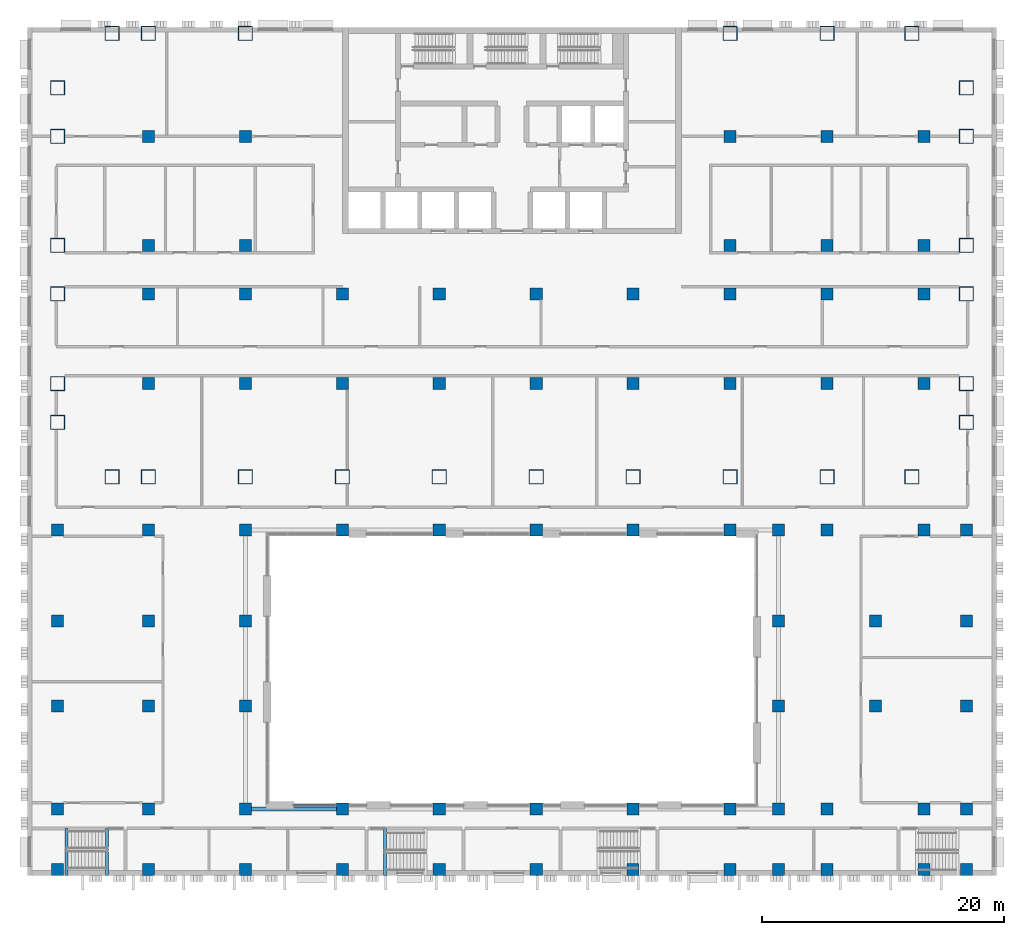
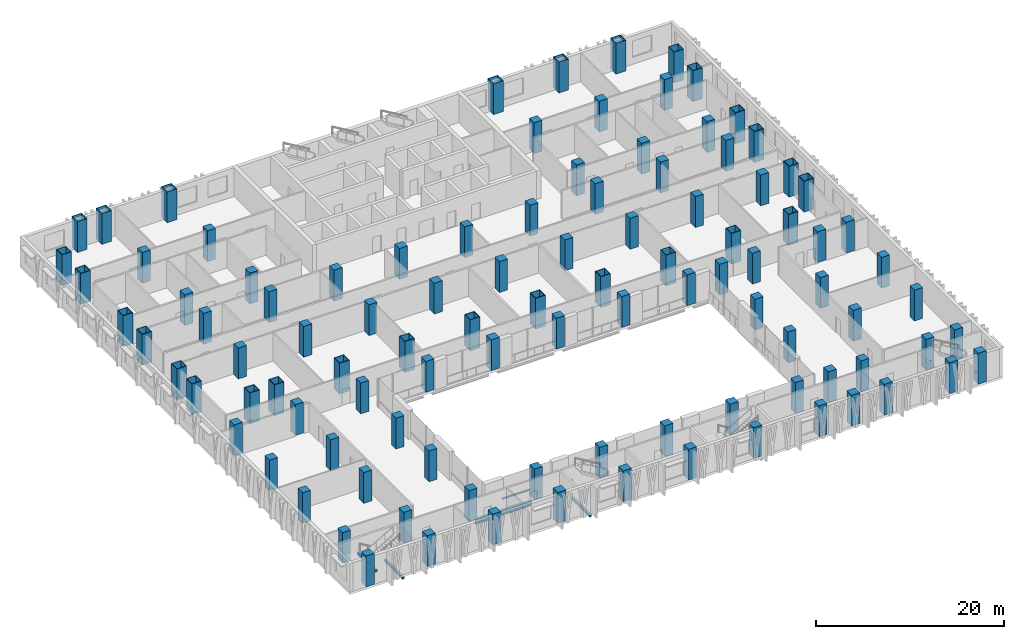
# One storey, part 1 of 25: 104 columns, 4 beams, 1 member, 1 element without a shape of its own.
"""IFC4 building model written with IfcOpenShell, lengths in metres."""

from ifc_helpers import new_model, si_unit, direction, frame, origin, origin_2d, place, context, subcontext, project, spatial, rectangle, hollow_rectangle, i_section, extrude, material, material_profile, profile_set, type_object, element, aggregate, save


model = new_model("IFC4")

# Units and contexts
model_context = context("Model", 3, precision=1e-05, world=origin(), true_north=direction((0.0, 1.0)))
body_context = subcontext(model_context, "Body", "Model", "MODEL_VIEW")
ifc_project = project(units=[si_unit("LENGTHUNIT", "METRE"), si_unit("AREAUNIT", "SQUARE_METRE"), si_unit("VOLUMEUNIT", "CUBIC_METRE"), si_unit("PLANEANGLEUNIT", "RADIAN"), si_unit("MASSUNIT", "GRAM", prefix="KILO")], contexts=[model_context])

# Site, building, storey
site_placement = place(None, origin())
site = spatial("IfcSite", under=ifc_project, at=site_placement, CompositionType="ELEMENT")
building_placement = place(site_placement, origin())
building = spatial("IfcBuilding", under=site, at=building_placement, Name="Vidyagriha Tower", CompositionType="ELEMENT")
storey_placement = place(building_placement, frame((0.0, 0.0, 14.0)))
storey = spatial("IfcBuildingStorey", under=building, at=storey_placement, Name="L03", CompositionType="ELEMENT", Elevation=14.0)

# Columns
ifc_material_1 = material(Name="Steel ASTM A572 Grade 50", Category="steel")
ifc_material_profile_1 = material_profile(ifc_material_1, hollow_rectangle(XDim=1.199951171875, YDim=1.199951171875, WallThickness=0.06005859375, at=origin_2d()), Name="BOX 1200x1200x60")
ifc_profile_set_1 = profile_set([ifc_material_profile_1], Name="Steel ASTM A572 Grade 50")
column_type_1 = type_object("IfcColumnType", Name="Exoskeleton column BOX 1200x1200x60", PredefinedType="COLUMN", material=ifc_profile_set_1)
for number, where, name in (
    (1, (-33.0, -17.10009765625, 0.0), "st-col-L03-B1-001"),
    (2, (-30.0, -17.10009765625, 0.0), "st-col-L03-B1-002"),
    (3, (-22.0, -17.10009765625, 0.0), "st-col-L03-B1-003"),
    (4, (-14.0, -17.10009765625, 0.0), "st-col-L03-B1-004"),
    (5, (-6.0, -17.10009765625, 0.0), "st-col-L03-B1-005"),
    (6, (2.0, -17.10009765625, 0.0), "st-col-L03-B1-006"),
    (7, (10.0, -17.10009765625, 0.0), "st-col-L03-B1-007"),
    (8, (18.0, -17.10009765625, 0.0), "st-col-L03-B1-008"),
    (9, (26.0, -17.10009765625, 0.0), "st-col-L03-B1-009"),
    (10, (33.0, -17.10009765625, 0.0), "st-col-L03-B1-010"),
    (11, (-37.5, -12.60009765625, 0.0), "st-col-L03-B1-011"),
    (12, (37.5, -12.60009765625, 0.0), "st-col-L03-B1-012"),
    (13, (-37.5, -9.39990234375, 0.0), "st-col-L03-B1-013"),
    (14, (37.5, -9.39990234375, 0.0), "st-col-L03-B1-023"),
    (15, (-37.5, -2.0, 0.0), "st-col-L03-B1-024"),
    (16, (37.5, -2.0, 0.0), "st-col-L03-B1-034"),
    (17, (-37.5, 2.0, 0.0), "st-col-L03-B1-035"),
    (18, (37.5, 2.0, 0.0), "st-col-L03-B1-041"),
    (19, (-37.5, 11.0, 0.0), "st-col-L03-B1-042"),
    (20, (37.5, 11.0, 0.0), "st-col-L03-B1-048"),
    (21, (-37.5, 15.0, 0.0), "st-col-L03-B1-049"),
    (22, (37.5, 15.0, 0.0), "st-col-L03-B1-050"),
    (23, (-33.0, 19.5, 0.0), "st-col-L03-B1-051"),
    (24, (-30.0, 19.5, 0.0), "st-col-L03-B1-052"),
    (25, (-22.0, 19.5, 0.0), "st-col-L03-B1-053"),
    (26, (18.0, 19.5, 0.0), "st-col-L03-B1-054"),
    (27, (26.0, 19.5, 0.0), "st-col-L03-B1-055"),
    (28, (33.0, 19.5, 0.0), "st-col-L03-B1-056"),
):
    element("IfcColumn", number, at=place(storey_placement, frame(where)), inside=storey, type_object=column_type_1, Name=name, PredefinedType="COLUMN", context=body_context, shape_type="SweptSolid", body=[
        extrude(hollow_rectangle(XDim=1.199951171875, YDim=1.199951171875, WallThickness=0.06005859375, at=origin_2d()), origin(), (0.0, 0.0, 1.0), 4.0),
    ])
ifc_material_2 = material(Name="Concrete C80/95", Category="concrete")
ifc_material_profile_2 = material_profile(ifc_material_2, rectangle(XDim=1.0, YDim=1.0, at=origin_2d()), Name="RC 1000x1000")
ifc_profile_set_2 = profile_set([ifc_material_profile_2], Name="Concrete C80/95")
column_type_2 = type_object("IfcColumnType", Name="Frame column RC 1000x1000", PredefinedType="COLUMN", material=ifc_profile_set_2)
for number, where, name in (
    (29, (-30.0, -9.39990234375, 0.0), "st-col-L03-B1-014"),
    (30, (-22.0, -9.39990234375, 0.0), "st-col-L03-B1-015"),
    (31, (-14.0, -9.39990234375, 0.0), "st-col-L03-B1-016"),
    (32, (-6.0, -9.39990234375, 0.0), "st-col-L03-B1-017"),
    (33, (2.0, -9.39990234375, 0.0), "st-col-L03-B1-018"),
    (34, (10.0, -9.39990234375, 0.0), "st-col-L03-B1-019"),
    (35, (18.0, -9.39990234375, 0.0), "st-col-L03-B1-020"),
    (36, (26.0, -9.39990234375, 0.0), "st-col-L03-B1-021"),
    (37, (34.0, -9.39990234375, 0.0), "st-col-L03-B1-022"),
    (38, (-30.0, -2.0, 0.0), "st-col-L03-B1-025"),
    (39, (-22.0, -2.0, 0.0), "st-col-L03-B1-026"),
    (40, (-14.0, -2.0, 0.0), "st-col-L03-B1-027"),
    (41, (-6.0, -2.0, 0.0), "st-col-L03-B1-028"),
    (42, (2.0, -2.0, 0.0), "st-col-L03-B1-029"),
    (43, (10.0, -2.0, 0.0), "st-col-L03-B1-030"),
    (44, (18.0, -2.0, 0.0), "st-col-L03-B1-031"),
    (45, (26.0, -2.0, 0.0), "st-col-L03-B1-032"),
    (46, (34.0, -2.0, 0.0), "st-col-L03-B1-033"),
    (47, (-30.0, 2.0, 0.0), "st-col-L03-B1-036"),
    (48, (-22.0, 2.0, 0.0), "st-col-L03-B1-037"),
    (49, (18.0, 2.0, 0.0), "st-col-L03-B1-038"),
    (50, (26.0, 2.0, 0.0), "st-col-L03-B1-039"),
    (51, (34.0, 2.0, 0.0), "st-col-L03-B1-040"),
    (52, (-30.0, 11.0, 0.0), "st-col-L03-B1-043"),
    (53, (-22.0, 11.0, 0.0), "st-col-L03-B1-044"),
    (54, (18.0, 11.0, 0.0), "st-col-L03-B1-045"),
    (55, (26.0, 11.0, 0.0), "st-col-L03-B1-046"),
    (56, (34.0, 11.0, 0.0), "st-col-L03-B1-047"),
):
    element("IfcColumn", number, at=place(storey_placement, frame(where)), inside=storey, type_object=column_type_2, Name=name, PredefinedType="COLUMN", context=body_context, shape_type="SweptSolid", body=[
        extrude(rectangle(XDim=1.0, YDim=1.0, at=origin_2d()), origin(), (0.0, 0.0, 1.0), 4.0),
    ])
ifc_material_3 = material(Name="Concrete C80/95", Category="concrete")
ifc_material_profile_3 = material_profile(ifc_material_3, rectangle(XDim=1.0, YDim=1.0, at=origin_2d()), Name="RC 1000x1000")
ifc_profile_set_3 = profile_set([ifc_material_profile_3], Name="Concrete C80/95")
column_type_3 = type_object("IfcColumnType", Name="Podium column RC 1000x1000", PredefinedType="COLUMN", material=ifc_profile_set_3)
for number, where, name in (
    (57, (-37.5, -49.5, 0.0), "st-col-L03-P-057"),
    (58, (-30.0, -49.5, 0.0), "st-col-L03-P-058"),
    (59, (-22.0, -49.5, 0.0), "st-col-L03-P-059"),
    (60, (-14.0, -49.5, 0.0), "st-col-L03-P-060"),
    (61, (-6.0, -49.5, 0.0), "st-col-L03-P-061"),
    (62, (2.0, -49.5, 0.0), "st-col-L03-P-062"),
    (63, (10.0, -49.5, 0.0), "st-col-L03-P-063"),
    (64, (18.0, -49.5, 0.0), "st-col-L03-P-064"),
    (65, (22.0, -49.5, 0.0), "st-col-L03-P-065"),
    (66, (26.0, -49.5, 0.0), "st-col-L03-P-066"),
    (67, (34.0, -49.5, 0.0), "st-col-L03-P-067"),
    (68, (37.5, -49.5, 0.0), "st-col-L03-P-068"),
    (69, (-37.5, -44.5, 0.0), "st-col-L03-P-069"),
    (70, (-30.0, -44.5, 0.0), "st-col-L03-P-070"),
    (71, (-22.0, -44.5, 0.0), "st-col-L03-P-071"),
    (72, (-14.0, -44.5, 0.0), "st-col-L03-P-072"),
    (73, (-6.0, -44.5, 0.0), "st-col-L03-P-073"),
    (74, (2.0, -44.5, 0.0), "st-col-L03-P-074"),
    (75, (10.0, -44.5, 0.0), "st-col-L03-P-075"),
    (76, (18.0, -44.5, 0.0), "st-col-L03-P-076"),
    (77, (22.0, -44.5, 0.0), "st-col-L03-P-077"),
    (78, (26.0, -44.5, 0.0), "st-col-L03-P-078"),
    (79, (34.0, -44.5, 0.0), "st-col-L03-P-079"),
    (80, (37.5, -44.5, 0.0), "st-col-L03-P-080"),
    (81, (-37.5, -36.0, 0.0), "st-col-L03-P-081"),
    (82, (-30.0, -36.0, 0.0), "st-col-L03-P-082"),
    (83, (-22.0, -36.0, 0.0), "st-col-L03-P-083"),
    (84, (22.0, -36.0, 0.0), "st-col-L03-P-084"),
    (85, (30.0, -36.0, 0.0), "st-col-L03-P-085"),
    (86, (37.5, -36.0, 0.0), "st-col-L03-P-086"),
    (87, (-37.5, -29.0, 0.0), "st-col-L03-P-087"),
    (88, (-30.0, -29.0, 0.0), "st-col-L03-P-088"),
    (89, (-22.0, -29.0, 0.0), "st-col-L03-P-089"),
    (90, (22.0, -29.0, 0.0), "st-col-L03-P-090"),
    (91, (30.0, -29.0, 0.0), "st-col-L03-P-091"),
    (92, (37.5, -29.0, 0.0), "st-col-L03-P-092"),
    (93, (-37.5, -21.5, 0.0), "st-col-L03-P-093"),
    (94, (-30.0, -21.5, 0.0), "st-col-L03-P-094"),
    (95, (-22.0, -21.5, 0.0), "st-col-L03-P-095"),
    (96, (-14.0, -21.5, 0.0), "st-col-L03-P-096"),
    (97, (-6.0, -21.5, 0.0), "st-col-L03-P-097"),
    (98, (2.0, -21.5, 0.0), "st-col-L03-P-098"),
    (99, (10.0, -21.5, 0.0), "st-col-L03-P-099"),
    (100, (18.0, -21.5, 0.0), "st-col-L03-P-100"),
    (101, (22.0, -21.5, 0.0), "st-col-L03-P-101"),
    (102, (26.0, -21.5, 0.0), "st-col-L03-P-102"),
    (103, (34.0, -21.5, 0.0), "st-col-L03-P-103"),
    (104, (37.5, -21.5, 0.0), "st-col-L03-P-104"),
):
    element("IfcColumn", number, at=place(storey_placement, frame(where)), inside=storey, type_object=column_type_3, Name=name, PredefinedType="COLUMN", context=body_context, shape_type="SweptSolid", body=[
        extrude(rectangle(XDim=1.0, YDim=1.0, at=origin_2d()), origin(), (0.0, 0.0, 1.0), 4.0),
    ])

# Beams
ifc_material_4 = material(Name="Steel ASTM A992 Grade 50", Category="steel")
ifc_material_profile_4 = material_profile(ifc_material_4, i_section(OverallWidth=0.32373046875, OverallDepth=0.612060546875, WebThickness=0.0126953125, FlangeThickness=0.01904296875, at=origin_2d()), Name="W24X104")
ifc_profile_set_4 = profile_set([ifc_material_profile_4], Name="Steel ASTM A992 Grade 50")
beam_type_1 = type_object("IfcBeamType", Name="Atrium edge beam W24X104", PredefinedType="BEAM", material=ifc_profile_set_4)
beam_placement = place(storey_placement, frame((-21.5, -44.5, -0.60595703125), z_axis=(1.0, 0.0, 0.0), x_axis=(0.0, 1.0, 0.0)))
element("IfcBeam", 105, at=beam_placement, inside=storey, type_object=beam_type_1, Name="st-beam-L03-AT01", PredefinedType="BEAM", context=body_context, shape_type="SweptSolid", body=[
    extrude(i_section(OverallWidth=0.32373046875, OverallDepth=0.612060546875, WebThickness=0.0126953125, FlangeThickness=0.01904296875, at=origin_2d()), origin(), (0.0, 0.0, 1.0), 7.0),
])
ifc_material_5 = material(Name="Concrete C40/50", Category="concrete")
ifc_material_profile_5 = material_profile(ifc_material_5, rectangle(XDim=0.25, YDim=0.300048828125, at=origin_2d()), Name="Stair landing bearing beam 250x300")
ifc_profile_set_5 = profile_set([ifc_material_profile_5], Name="Concrete C40/50")
beam_type_2 = type_object("IfcBeamType", Name="Stair landing bearing beam 250x300", PredefinedType="BEAM", material=ifc_profile_set_5)
for number, where, z_axis, x_axis, name in (
    (106, (-33.419921875, -50.0, -0.449951171875), (0.0, 1.0, 0.0), (-1.0, 0.0, 0.0), "PS1 floor landing bearing beam L03"),
    (107, (-36.760009765625, -50.0, 1.64990234375), (0.0, 1.0, 0.0), (-1.0, 0.0, 0.0), "PS1 landing bearing beam L03"),
    (108, (-10.47998046875, -50.0, -0.449951171875), (0.0, 1.0, 0.0), (-1.0, 0.0, 0.0), "PS3 floor landing bearing beam L03"),
):
    element("IfcBeam", number, at=place(storey_placement, frame(where, z_axis=z_axis, x_axis=x_axis)), inside=storey, type_object=beam_type_2, Name=name, PredefinedType="BEAM", context=body_context, shape_type="SweptSolid", body=[
        extrude(rectangle(XDim=0.25, YDim=0.300048828125, at=origin_2d()), origin(), (0.0, 0.0, 1.0), 3.89990234375),
    ])

# Curtain wall, member
ifc_material_6 = material(Name="Aluminium and glass curtain wall", Category="aluminium")
curtain_wall_type = type_object("IfcCurtainWallType", Name="Atrium screen curtain wall", PredefinedType="USERDEFINED", material=ifc_material_6)
curtain_wall_placement = place(storey_placement, origin())
curtain_wall = element("IfcCurtainWall", 109, at=curtain_wall_placement, inside=storey, type_object=curtain_wall_type, Name="CW6 atrium screen", ObjectType="UNITISED", PredefinedType="USERDEFINED")
ifc_material_7 = material(Name="Aluminium black anodised", Category="aluminium")
ifc_material_profile_6 = material_profile(ifc_material_7, rectangle(XDim=0.159912109375, YDim=0.10009765625, at=origin_2d()), Name="Transom 100x160 black aluminium")
ifc_profile_set_6 = profile_set([ifc_material_profile_6], Name="Aluminium black anodised")
member_type = type_object("IfcMemberType", Name="Transom 100x160 black aluminium", PredefinedType="USERDEFINED", material=ifc_profile_set_6)
member_placement = place(storey_placement, frame((-14.60009765625, -44.199951171875, 0.89990234375), z_axis=(-1.0, 0.0, 0.0), x_axis=(0.0, -1.0, 0.0)))
member = element("IfcMember", 110, at=member_placement, type_object=member_type, Name="CW6 transom 1.1", ObjectType="TRANSOM", PredefinedType="USERDEFINED", context=body_context, shape_type="SweptSolid", body=[
    extrude(rectangle(XDim=0.159912109375, YDim=0.10009765625, at=origin_2d()), origin(), (0.0, 0.0, 1.0), 3.39990234375),
])
aggregate(curtain_wall, [member])

save(model, "model.ifc")
